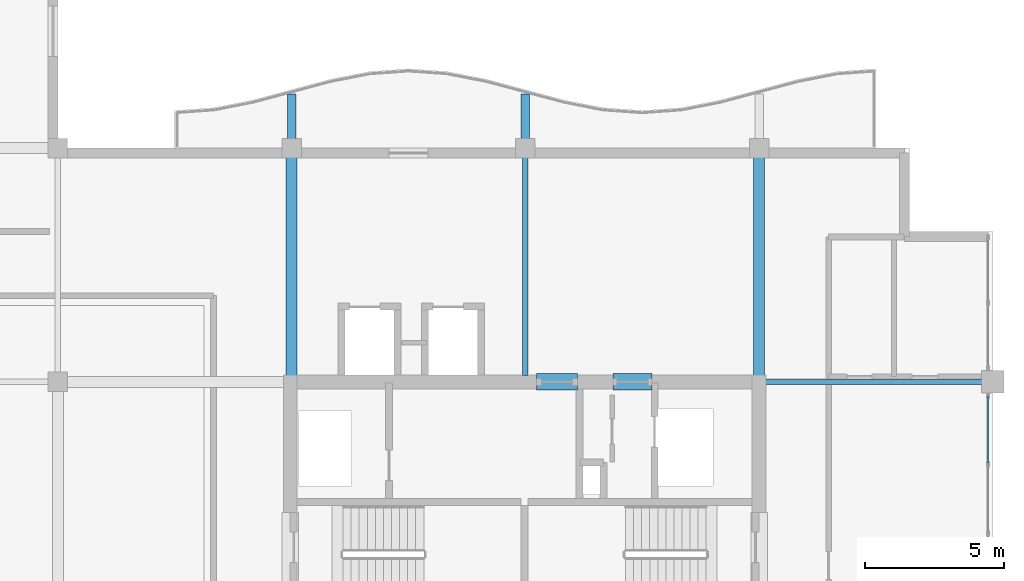
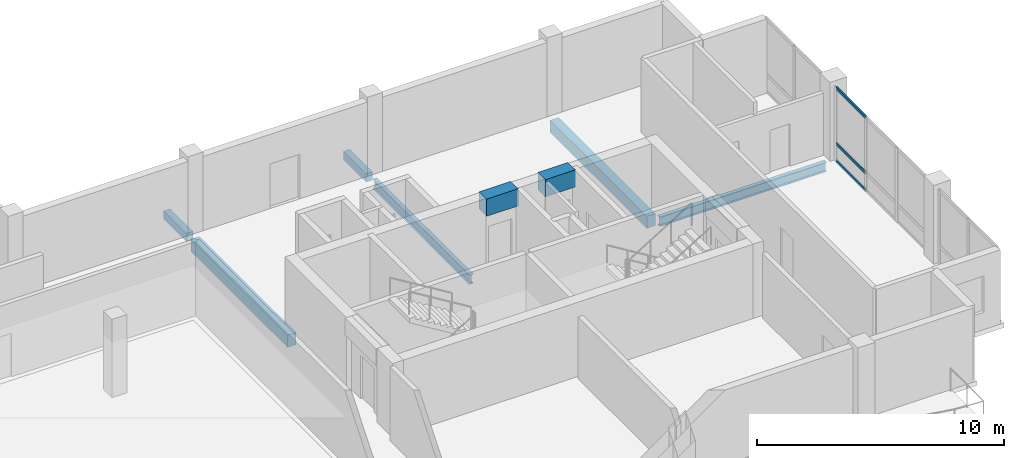
# One storey, part 3 of 14: 8 beams, 3 members, 1 element without a shape of its own.
"""IFC4 building model written with IfcOpenShell, lengths in metres."""

from ifc_helpers import new_model, si_unit, direction, frame, origin, origin_2d, place, context, subcontext, project, spatial, rectangle, hollow_rectangle, i_section, extrude, material, layer, layer_set, material_profile, profile_set, type_object, element, aggregate, save


model = new_model("IFC4")

# Units and contexts
model_context = context("Model", 3, precision=1e-05, world=origin(), true_north=direction((0.0, 1.0)))
body_context = subcontext(model_context, "Body", "Model", "MODEL_VIEW")
ifc_project = project(units=[si_unit("LENGTHUNIT", "METRE"), si_unit("AREAUNIT", "SQUARE_METRE"), si_unit("VOLUMEUNIT", "CUBIC_METRE"), si_unit("PLANEANGLEUNIT", "RADIAN"), si_unit("MASSUNIT", "GRAM", prefix="KILO")], contexts=[model_context])

# Site, building, storey
site_placement = place(None, origin())
site = spatial("IfcSite", under=ifc_project, at=site_placement, CompositionType="ELEMENT")
building_placement = place(site_placement, origin())
building = spatial("IfcBuilding", under=site, at=building_placement, Name="Koriwani Terraces Tower", CompositionType="ELEMENT")
storey_placement = place(building_placement, frame((0.0, 0.0, 339.800048828125)))
storey = spatial("IfcBuildingStorey", under=building, at=storey_placement, Name="L84", CompositionType="ELEMENT", Elevation=339.800048828125)

# Beams
ifc_material_1 = material(Name="Concrete C40/50", Category="concrete")
ifc_material_profile_1 = material_profile(ifc_material_1, rectangle(XDim=0.300048828125, YDim=0.39990234375, at=origin_2d()), Name="Concrete C40/50", Category="LoadBearing")
ifc_profile_set_1 = profile_set([ifc_material_profile_1], Name="Concrete C40/50")
beam_type_1 = type_object("IfcBeamType", Name="BEAM_RC_BALCONY_RIB_300X400", PredefinedType="JOIST", material=ifc_profile_set_1)
for number, where, z_axis, x_axis, name in (
    (1, (42.0, 33.699951171875, -0.429931640625), (0.0, 1.0, 0.0), (-1.0, 0.0, 0.0), "L84 Balcony Bracket Rib NE-1"),
    (2, (50.39990234375, 33.699951171875, -0.429931640625), (0.0, 1.0, 0.0), (-1.0, 0.0, 0.0), "L84 Balcony Bracket Rib NE-2"),
):
    element("IfcBeam", number, at=place(storey_placement, frame(where, z_axis=z_axis, x_axis=x_axis)), inside=storey, type_object=beam_type_1, Name=name, PredefinedType="JOIST", context=body_context, shape_type="SweptSolid", body=[
        extrude(rectangle(XDim=0.300048828125, YDim=0.39990234375, at=origin_2d()), origin(), (0.0, 0.0, 1.0), 1.85009765625),
    ])
ifc_material_2 = material(Name="Concrete C50/60", Category="concrete")
ifc_material_profile_2 = material_profile(ifc_material_2, rectangle(XDim=0.60009765625, YDim=0.85009765625, at=origin_2d()), Name="Concrete C50/60", Category="LoadBearing")
ifc_profile_set_2 = profile_set([ifc_material_profile_2], Name="Concrete C50/60")
beam_type_2 = type_object("IfcBeamType", Name="BEAM_RC_COUPLING_600X850", PredefinedType="LINTEL", material=ifc_profile_set_2)
beam_1_placement = place(storey_placement, frame((50.800048828125, 25.199951171875, 3.244873046875), z_axis=(1.0, 0.0, 0.0), x_axis=(0.0, 1.0, 0.0)))
element("IfcBeam", 3, at=beam_1_placement, inside=storey, type_object=beam_type_2, Name="L84 Core Coupling Lintel Beam EN1", PredefinedType="LINTEL", context=body_context, shape_type="SweptSolid", body=[
    extrude(rectangle(XDim=0.60009765625, YDim=0.85009765625, at=origin_2d()), origin(), (0.0, 0.0, 1.0), 1.47998046875),
])
beam_2_placement = place(storey_placement, frame((53.550048828125, 25.199951171875, 3.244873046875), z_axis=(1.0, 0.0, 0.0), x_axis=(0.0, 1.0, 0.0)))
element("IfcBeam", 4, at=beam_2_placement, inside=storey, type_object=beam_type_2, Name="L84 Core Coupling Lintel Beam EN2", PredefinedType="LINTEL", context=body_context, shape_type="SweptSolid", body=[
    extrude(rectangle(XDim=0.60009765625, YDim=0.85009765625, at=origin_2d()), origin(), (0.0, 0.0, 1.0), 1.39990234375),
])
ifc_material_profile_3 = material_profile(ifc_material_1, rectangle(XDim=0.39990234375, YDim=0.60009765625, at=origin_2d()), Name="Concrete C40/50", Category="LoadBearing")
ifc_profile_set_3 = profile_set([ifc_material_profile_3], Name="Concrete C40/50")
beam_type_3 = type_object("IfcBeamType", Name="BEAM_RC_GRID_400X600", PredefinedType="BEAM", material=ifc_profile_set_3)
for number, where, z_axis, x_axis, name in (
    (5, (42.0, 25.429931640625, -0.530029296875), (0.0, 1.0, 0.0), (-1.0, 0.0, 0.0), "L84 Grid Beam 6 (25.2-33.6m)"),
    (6, (58.800048828125, 25.429931640625, -0.530029296875), (0.0, 1.0, 0.0), (-1.0, 0.0, 0.0), "L84 Grid Beam 8 (25.2-33.6m)"),
):
    element("IfcBeam", number, at=place(storey_placement, frame(where, z_axis=z_axis, x_axis=x_axis)), inside=storey, type_object=beam_type_3, Name=name, PredefinedType="BEAM", context=body_context, shape_type="SweptSolid", body=[
        extrude(rectangle(XDim=0.39990234375, YDim=0.60009765625, at=origin_2d()), origin(), (0.0, 0.0, 1.0), 7.840087890625),
    ])

# Curtain wall, members
ifc_material_3 = material(Name="Anodised Bronze Aluminium", Category="aluminium")
ifc_layer = layer(ifc_material_3, 0.18994140625, Name="Anodised Bronze Aluminium")
ifc_layer_set = layer_set([ifc_layer], Name="Anodised Bronze Aluminium")
curtain_wall_type = type_object("IfcCurtainWallType", Name="CW_PENTHOUSE_ZONE5", PredefinedType="NOTDEFINED", material=ifc_layer_set)
curtain_wall_placement = place(storey_placement, origin())
curtain_wall = element("IfcCurtainWall", 7, at=curtain_wall_placement, inside=storey, type_object=curtain_wall_type, Name="L84 Unitised Curtain Wall (E_TIP) Bay 2", PredefinedType="NOTDEFINED")
ifc_material_profile_4 = material_profile(ifc_material_3, hollow_rectangle(XDim=0.06494140625, YDim=0.14990234375, WallThickness=0.0048828125, at=origin_2d()), Name="Anodised Bronze Aluminium", Category="LoadBearing")
ifc_profile_set_4 = profile_set([ifc_material_profile_4], Name="Anodised Bronze Aluminium")
member_type = type_object("IfcMemberType", Name="CW_TRANSOM_150X65", PredefinedType="USERDEFINED", material=ifc_profile_set_4)
member_1_placement = place(storey_placement, frame((67.02490234375, 24.6650390625, 0.032470703125), z_axis=(0.0, -1.0, 0.0), x_axis=(1.0, 0.0, 0.0)))
member_1 = element("IfcMember", 8, at=member_1_placement, type_object=member_type, Name="CW-Z5 transom 1.1", ObjectType="TRANSOM", PredefinedType="USERDEFINED", context=body_context, shape_type="SweptSolid", body=[
    extrude(hollow_rectangle(XDim=0.06494140625, YDim=0.14990234375, WallThickness=0.0048828125, at=origin_2d()), origin(), (0.0, 0.0, 1.0), 2.380859375),
])
member_2_placement = place(storey_placement, frame((67.02490234375, 24.6650390625, 0.89990234375), z_axis=(0.0, -1.0, 0.0), x_axis=(1.0, 0.0, 0.0)))
member_2 = element("IfcMember", 9, at=member_2_placement, type_object=member_type, Name="CW-Z5 transom 1.2", ObjectType="TRANSOM", PredefinedType="USERDEFINED", context=body_context, shape_type="SweptSolid", body=[
    extrude(hollow_rectangle(XDim=0.06494140625, YDim=0.14990234375, WallThickness=0.0048828125, at=origin_2d()), origin(), (0.0, 0.0, 1.0), 2.380859375),
])
member_3_placement = place(storey_placement, frame((67.02490234375, 24.6650390625, 3.637451171875), z_axis=(0.0, -1.0, 0.0), x_axis=(1.0, 0.0, 0.0)))
member_3 = element("IfcMember", 10, at=member_3_placement, type_object=member_type, Name="CW-Z5 transom 1.3", ObjectType="TRANSOM", PredefinedType="USERDEFINED", context=body_context, shape_type="SweptSolid", body=[
    extrude(hollow_rectangle(XDim=0.06494140625, YDim=0.14990234375, WallThickness=0.0048828125, at=origin_2d()), origin(), (0.0, 0.0, 1.0), 2.380859375),
])
aggregate(curtain_wall, [member_1, member_2, member_3])

# Beams
ifc_material_4 = material(Name="Steel ASTM A572 Grade 50", Category="steel")
ifc_material_profile_5 = material_profile(ifc_material_4, i_section(OverallWidth=0.193115234375, OverallDepth=0.462890625, WebThickness=0.0107421875, FlangeThickness=0.017333984375, at=origin_2d()), Name="Steel ASTM A572 Grade 50", Category="LoadBearing")
ifc_profile_set_5 = profile_set([ifc_material_profile_5], Name="Steel ASTM A572 Grade 50")
beam_type_4 = type_object("IfcBeamType", Name="STEEL_BEAM_W460X113", PredefinedType="BEAM", material=ifc_profile_set_5)
beam_3_placement = place(storey_placement, frame((59.030029296875, 25.199951171875, -0.461669921875), z_axis=(1.0, 0.0, 0.0), x_axis=(0.0, 1.0, 0.0)))
element("IfcBeam", 11, at=beam_3_placement, inside=storey, type_object=beam_type_4, Name="L84 Grid Beam D (58.8-67.2m)", PredefinedType="BEAM", context=body_context, shape_type="SweptSolid", body=[
    extrude(i_section(OverallWidth=0.193115234375, OverallDepth=0.462890625, WebThickness=0.0107421875, FlangeThickness=0.017333984375, at=origin_2d()), origin(), (0.0, 0.0, 1.0), 7.7900390625),
])
beam_4_placement = place(storey_placement, frame((50.39990234375, 25.429931640625, -0.461669921875), z_axis=(0.0, 1.0, 0.0), x_axis=(-1.0, 0.0, 0.0)))
element("IfcBeam", 12, at=beam_4_placement, inside=storey, type_object=beam_type_4, Name="L84 Grid Beam 7 (25.2-33.6m)", PredefinedType="BEAM", context=body_context, shape_type="SweptSolid", body=[
    extrude(i_section(OverallWidth=0.193115234375, OverallDepth=0.462890625, WebThickness=0.0107421875, FlangeThickness=0.017333984375, at=origin_2d()), origin(), (0.0, 0.0, 1.0), 7.840087890625),
])

save(model, "model.ifc")
